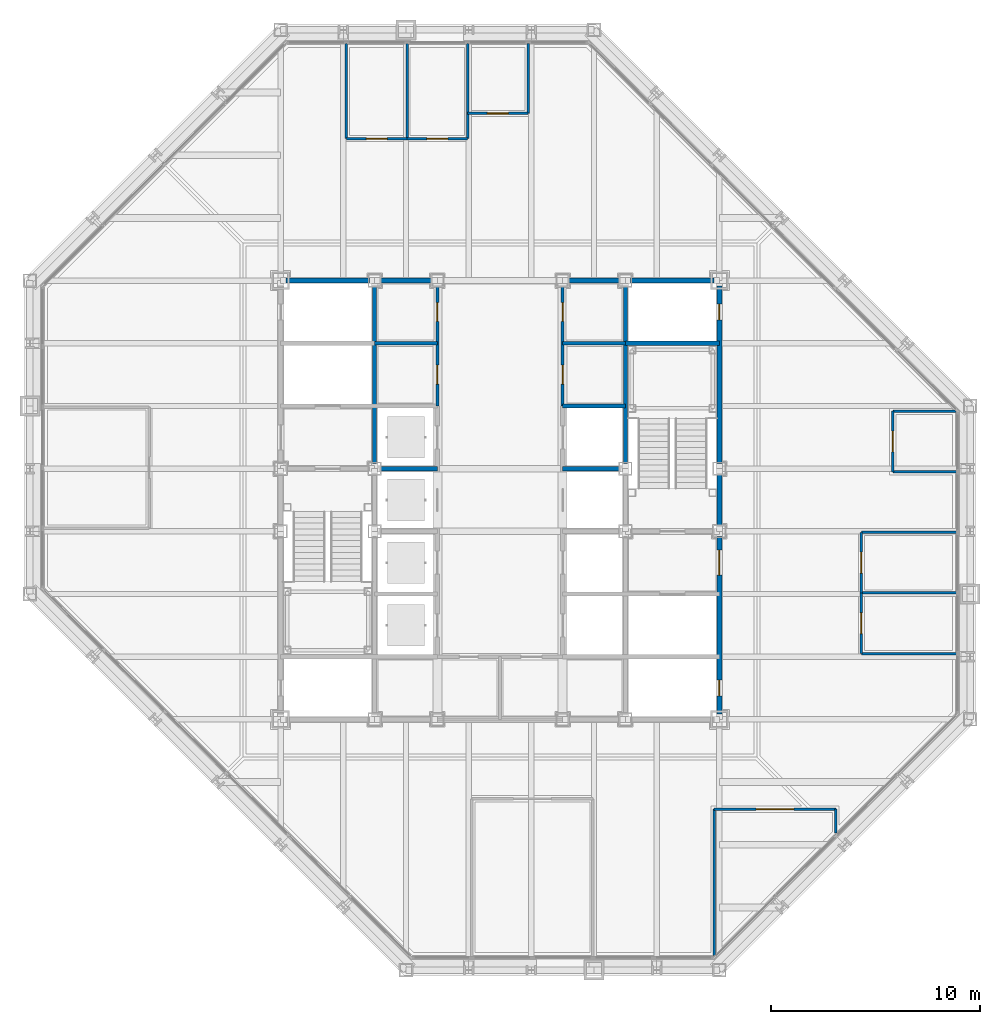
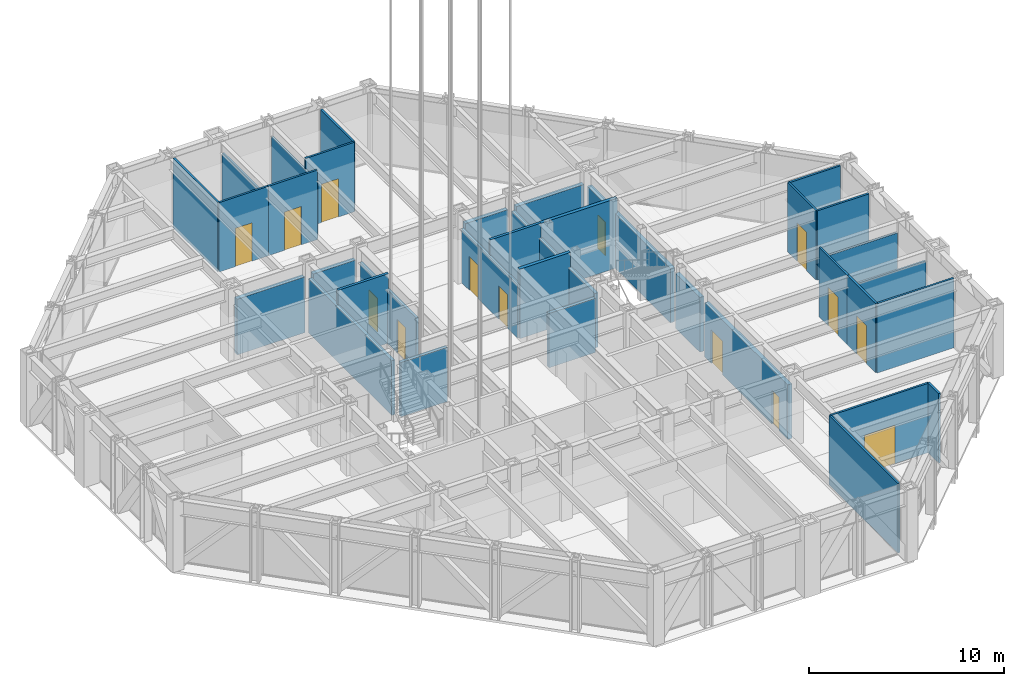
# One storey, part 11 of 24: 35 walls, 14 doors, 14 openings.
"""IFC4 building model written with IfcOpenShell, lengths in metres."""

from ifc_helpers import new_model, si_unit, direction, frame, frame_2d, origin, place, context, subcontext, project, spatial, rectangle, extrude, material, layer, layer_set, type_object, element, fill, save


model = new_model("IFC4")

# Units and contexts
model_context = context("Model", 3, precision=1e-05, world=origin(), true_north=direction((0.0, 1.0)))
body_context = subcontext(model_context, "Body", "Model", "MODEL_VIEW")
ifc_project = project(units=[si_unit("LENGTHUNIT", "METRE"), si_unit("AREAUNIT", "SQUARE_METRE"), si_unit("VOLUMEUNIT", "CUBIC_METRE"), si_unit("PLANEANGLEUNIT", "RADIAN"), si_unit("MASSUNIT", "GRAM", prefix="KILO")], contexts=[model_context])

# Site, building, storey
site_placement = place(None, origin())
site = spatial("IfcSite", under=ifc_project, at=site_placement, CompositionType="ELEMENT")
building_placement = place(site_placement, origin())
building = spatial("IfcBuilding", under=site, at=building_placement, Name="Chuquiago Exchange Tower", CompositionType="ELEMENT")
storey_placement = place(building_placement, frame((0.0, 0.0, 180.0)))
storey = spatial("IfcBuildingStorey", under=building, at=storey_placement, Name="L39", CompositionType="ELEMENT", Elevation=180.0)

# Walls
ifc_material_1 = material(Name="Concrete masonry, fully grouted", Category="masonry")
ifc_layer_1 = layer(ifc_material_1, 0.25)
ifc_layer_set_1 = layer_set([ifc_layer_1], Name="W1 core wall 250")
wall_type_1 = type_object("IfcWallType", Name="W1 core wall 250", PredefinedType="SOLIDWALL", material=ifc_layer_set_1)
wall_1_placement = place(storey_placement, frame((12.25, 33.0, 0.0), z_axis=(0.0, 0.0, 1.0), x_axis=(1.0, 0.0, 0.0)))
element("IfcWall", 1, at=wall_1_placement, inside=storey, type_object=wall_type_1, Name="CW-L39-11-0", PredefinedType="SOLIDWALL", context=body_context, shape_type="SweptSolid", body=[
    extrude(rectangle(XDim=4.0, YDim=0.25, at=frame_2d((2.0, 0.0))), origin(), (0.0, 0.0, 1.0), 3.4814453125),
])
for number, where, z_axis, x_axis, name in (
    (2, (16.75, 33.0, 0.0), (0.0, 0.0, 1.0), (1.0, 0.0, 0.0), "CW-L39-11-1"),
    (3, (25.75, 33.0, 0.0), (0.0, 0.0, 1.0), (1.0, 0.0, 0.0), "CW-L39-12-0"),
):
    element("IfcWall", number, at=place(storey_placement, frame(where, z_axis=z_axis, x_axis=x_axis)), inside=storey, type_object=wall_type_1, Name=name, PredefinedType="SOLIDWALL", context=body_context, shape_type="SweptSolid", body=[
        extrude(rectangle(XDim=2.5, YDim=0.25, at=frame_2d((1.25, 0.0))), origin(), (0.0, 0.0, 1.0), 3.4814453125),
    ])
wall_2_placement = place(storey_placement, frame((28.75, 33.0, 0.0), z_axis=(0.0, 0.0, 1.0), x_axis=(1.0, 0.0, 0.0)))
element("IfcWall", 4, at=wall_2_placement, inside=storey, type_object=wall_type_1, Name="CW-L39-12-1", PredefinedType="SOLIDWALL", context=body_context, shape_type="SweptSolid", body=[
    extrude(rectangle(XDim=4.0, YDim=0.25, at=frame_2d((2.0, 0.0))), origin(), (0.0, 0.0, 1.0), 3.4814453125),
])

# Wall, openings, doors
wall_3_placement = place(storey_placement, frame((33.0, 12.25, 0.0), z_axis=(0.0, 0.0, 1.0), x_axis=(0.0, 1.0, 0.0)))
wall_3 = element("IfcWall", 5, at=wall_3_placement, inside=storey, type_object=wall_type_1, Name="CW-L39-25-0", PredefinedType="SOLIDWALL", context=body_context, shape_type="SweptSolid", body=[
    extrude(rectangle(XDim=8.5, YDim=0.25, at=frame_2d((4.25, 0.0))), origin(), (0.0, 0.0, 1.0), 3.412841796875),
])
opening_1_placement = place(wall_3_placement, frame((6.64990234375, 0.0, 0.0)))
opening_1 = element("IfcOpeningElement", 6, at=opening_1_placement, cuts=wall_3, Name="Opening L39-004", PredefinedType="OPENING", context=body_context, shape_type="SweptSolid", body=[
    extrude(rectangle(XDim=1.199951171875, YDim=2.10009765625, at=frame_2d((0.60009765625, 1.050048828125))), frame((0.0, 0.135009765625, 0.0), z_axis=(0.0, -1.0, 0.0), x_axis=(1.0, 0.0, 0.0)), (0.0, 0.0, 1.0), 0.27001953125),
])
opening_2_placement = place(wall_3_placement, frame((0.875, 0.0, 0.0)))
opening_2 = element("IfcOpeningElement", 7, at=opening_2_placement, cuts=wall_3, Name="Opening L39-009", PredefinedType="OPENING", context=body_context, shape_type="SweptSolid", body=[
    extrude(rectangle(XDim=0.75, YDim=2.10009765625, at=frame_2d((0.375, 1.050048828125))), frame((0.0, 0.135009765625, 0.0), z_axis=(0.0, -1.0, 0.0), x_axis=(1.0, 0.0, 0.0)), (0.0, 0.0, 1.0), 0.27001953125),
])
ifc_material_2 = material(Name="Steel door, painted", Category="steel")
door_type_1 = type_object("IfcDoorType", Name="D5 firefighting lobby door 1200x2100", OperationType="SINGLE_SWING_LEFT", PredefinedType="DOOR", material=ifc_material_2)
door_1_placement = place(opening_1_placement, origin())
door_1 = element("IfcDoor", 8, at=door_1_placement, inside=storey, type_object=door_type_1, Name="Firefighting lobby 2 door", OperationType="SINGLE_SWING_RIGHT", OverallHeight=2.10009765625, OverallWidth=1.199951171875, PredefinedType="DOOR", context=body_context, shape_type="SweptSolid", body=[
    extrude(rectangle(XDim=1.199951171875, YDim=2.10009765625, at=frame_2d((0.60009765625, 1.050048828125))), frame((0.0, 0.02490234375, 0.0), z_axis=(0.0, -1.0, 0.0), x_axis=(1.0, 0.0, 0.0)), (0.0, 0.0, 1.0), 0.050048828125),
])
fill(opening_1, door_1)
ifc_material_3 = material(Name="Steel door, painted", Category="steel")
door_type_2 = type_object("IfcDoorType", Name="D6 riser access door 750x2100", OperationType="SINGLE_SWING_LEFT", PredefinedType="DOOR", material=ifc_material_3)
door_2_placement = place(opening_2_placement, origin())
door_2 = element("IfcDoor", 9, at=door_2_placement, inside=storey, type_object=door_type_2, Name="Riser RE1 door", OperationType="SINGLE_SWING_LEFT", OverallHeight=2.10009765625, OverallWidth=0.75, PredefinedType="DOOR", context=body_context, shape_type="SweptSolid", body=[
    extrude(rectangle(XDim=0.75, YDim=2.10009765625, at=frame_2d((0.375, 1.050048828125))), frame((0.0, 0.02490234375, 0.0), z_axis=(0.0, -1.0, 0.0), x_axis=(1.0, 0.0, 0.0)), (0.0, 0.0, 1.0), 0.050048828125),
])
fill(opening_2, door_2)

# Wall
wall_4_placement = place(storey_placement, frame((33.0, 21.25, 0.0), z_axis=(0.0, 0.0, 1.0), x_axis=(0.0, 1.0, 0.0)))
element("IfcWall", 10, at=wall_4_placement, inside=storey, type_object=wall_type_1, Name="CW-L39-25-1", PredefinedType="SOLIDWALL", context=body_context, shape_type="SweptSolid", body=[
    extrude(rectangle(XDim=2.5, YDim=0.25, at=frame_2d((1.25, 0.0))), origin(), (0.0, 0.0, 1.0), 3.412841796875),
])

# Wall, opening, door
wall_5_placement = place(storey_placement, frame((33.0, 24.25, 0.0), z_axis=(0.0, 0.0, 1.0), x_axis=(0.0, 1.0, 0.0)))
wall_5 = element("IfcWall", 11, at=wall_5_placement, inside=storey, type_object=wall_type_1, Name="CW-L39-25-2", PredefinedType="SOLIDWALL", context=body_context, shape_type="SweptSolid", body=[
    extrude(rectangle(XDim=8.5, YDim=0.25, at=frame_2d((4.25, 0.0))), origin(), (0.0, 0.0, 1.0), 3.412841796875),
])
opening_3_placement = place(wall_5_placement, frame((6.875, 0.0, 0.0)))
opening_3 = element("IfcOpeningElement", 12, at=opening_3_placement, cuts=wall_5, Name="Opening L39-010", PredefinedType="OPENING", context=body_context, shape_type="SweptSolid", body=[
    extrude(rectangle(XDim=0.75, YDim=2.10009765625, at=frame_2d((0.375, 1.050048828125))), frame((0.0, 0.135009765625, 0.0), z_axis=(0.0, -1.0, 0.0), x_axis=(1.0, 0.0, 0.0)), (0.0, 0.0, 1.0), 0.27001953125),
])
door_3_placement = place(opening_3_placement, origin())
door_3 = element("IfcDoor", 13, at=door_3_placement, inside=storey, type_object=door_type_2, Name="Riser RE2 door", OperationType="SINGLE_SWING_RIGHT", OverallHeight=2.10009765625, OverallWidth=0.75, PredefinedType="DOOR", context=body_context, shape_type="SweptSolid", body=[
    extrude(rectangle(XDim=0.75, YDim=2.10009765625, at=frame_2d((0.375, 1.050048828125))), frame((0.0, 0.02490234375, 0.0), z_axis=(0.0, -1.0, 0.0), x_axis=(1.0, 0.0, 0.0)), (0.0, 0.0, 1.0), 0.050048828125),
])
fill(opening_3, door_3)

# Walls
ifc_material_4 = material(Name="Concrete masonry, fully grouted", Category="masonry")
ifc_layer_2 = layer(ifc_material_4, 0.199951171875)
ifc_layer_set_2 = layer_set([ifc_layer_2], Name="W2 shaft wall 200")
wall_type_2 = type_object("IfcWallType", Name="W2 shaft wall 200", PredefinedType="SOLIDWALL", material=ifc_layer_set_2)
for number, where, z_axis, x_axis, name in (
    (14, (16.75, 24.0, 0.0), (0.0, 0.0, 1.0), (1.0, 0.0, 0.0), "CW-L39-05-1"),
    (15, (25.5, 24.0, 0.0), (0.0, 0.0, 1.0), (1.0, 0.0, 0.0), "CW-L39-06-0"),
):
    element("IfcWall", number, at=place(storey_placement, frame(where, z_axis=z_axis, x_axis=x_axis)), inside=storey, type_object=wall_type_2, Name=name, PredefinedType="SOLIDWALL", context=body_context, shape_type="SweptSolid", body=[
        extrude(rectangle(XDim=2.75, YDim=0.199951171875, at=frame_2d((1.375, 0.0))), origin(), (0.0, 0.0, 1.0), 3.389892578125),
    ])
wall_6_placement = place(storey_placement, frame((25.5, 27.0, 0.0), z_axis=(0.0, 0.0, 1.0), x_axis=(1.0, 0.0, 0.0)))
element("IfcWall", 16, at=wall_6_placement, inside=storey, type_object=wall_type_2, Name="CW-L39-08-0", PredefinedType="SOLIDWALL", context=body_context, shape_type="SweptSolid", body=[
    extrude(rectangle(XDim=3.0, YDim=0.199951171875, at=frame_2d((1.5, 0.0))), origin(), (0.0, 0.0, 1.0), 4.340087890625),
])
wall_7_placement = place(storey_placement, frame((28.5, 30.0, 0.0), z_axis=(0.0, 0.0, 1.0), x_axis=(1.0, 0.0, 0.0)))
element("IfcWall", 17, at=wall_7_placement, inside=storey, type_object=wall_type_2, Name="CW-L39-10-0", PredefinedType="SOLIDWALL", context=body_context, shape_type="SweptSolid", body=[
    extrude(rectangle(XDim=4.5, YDim=0.199951171875, at=frame_2d((2.25, 0.0))), origin(), (0.0, 0.0, 1.0), 4.340087890625),
])
for number, where, z_axis, x_axis, name in (
    (18, (16.5, 24.25, 0.0), (0.0, 0.0, 1.0), (0.0, 1.0, 0.0), "CW-L39-13-2"),
    (19, (28.5, 24.25, 0.0), (0.0, 0.0, 1.0), (0.0, 1.0, 0.0), "CW-L39-24-2"),
):
    element("IfcWall", number, at=place(storey_placement, frame(where, z_axis=z_axis, x_axis=x_axis)), inside=storey, type_object=wall_type_2, Name=name, PredefinedType="SOLIDWALL", context=body_context, shape_type="SweptSolid", body=[
        extrude(rectangle(XDim=8.5, YDim=0.199951171875, at=frame_2d((4.25, 0.0))), origin(), (0.0, 0.0, 1.0), 3.412841796875),
    ])

# Wall, openings, doors
ifc_material_5 = material(Name="Gypsum board on steel studs", Category="steel")
ifc_layer_3 = layer(ifc_material_5, 0.14990234375)
ifc_layer_set_3 = layer_set([ifc_layer_3], Name="W3 core partition 150")
wall_type_3 = type_object("IfcWallType", Name="W3 core partition 150", PredefinedType="PARTITIONING", material=ifc_layer_set_3)
wall_8_placement = place(storey_placement, frame((19.5, 27.0, 0.0), z_axis=(0.0, 0.0, 1.0), x_axis=(0.0, 1.0, 0.0)))
wall_8 = element("IfcWall", 20, at=wall_8_placement, inside=storey, type_object=wall_type_3, Name="CW-L39-20-0", PredefinedType="PARTITIONING", context=body_context, shape_type="SweptSolid", body=[
    extrude(rectangle(XDim=5.75, YDim=0.14990234375, at=frame_2d((2.875, 0.0))), origin(), (0.0, 0.0, 1.0), 3.364501953125),
])
opening_4_placement = place(wall_8_placement, frame((1.050048828125, 0.0, 0.0)))
opening_4 = element("IfcOpeningElement", 21, at=opening_4_placement, cuts=wall_8, Name="Opening L39-011", PredefinedType="OPENING", context=body_context, shape_type="SweptSolid", body=[
    extrude(rectangle(XDim=0.89990234375, YDim=2.10009765625, at=frame_2d((0.449951171875, 1.050048828125))), frame((0.0, 0.0849609375, 0.0), z_axis=(0.0, -1.0, 0.0), x_axis=(1.0, 0.0, 0.0)), (0.0, 0.0, 1.0), 0.169921875),
])
opening_5_placement = place(wall_8_placement, frame((4.050048828125, 0.0, 0.0)))
opening_5 = element("IfcOpeningElement", 22, at=opening_5_placement, cuts=wall_8, Name="Opening L39-012", PredefinedType="OPENING", context=body_context, shape_type="SweptSolid", body=[
    extrude(rectangle(XDim=0.89990234375, YDim=2.10009765625, at=frame_2d((0.449951171875, 1.050048828125))), frame((0.0, 0.0849609375, 0.0), z_axis=(0.0, -1.0, 0.0), x_axis=(1.0, 0.0, 0.0)), (0.0, 0.0, 1.0), 0.169921875),
])
ifc_material_6 = material(Name="Timber door, laminate faced", Category="wood")
door_type_3 = type_object("IfcDoorType", Name="D16 core room door 900x2100", OperationType="SINGLE_SWING_LEFT", PredefinedType="DOOR", material=ifc_material_6)
door_4_placement = place(opening_5_placement, origin())
door_4 = element("IfcDoor", 23, at=door_4_placement, inside=storey, type_object=door_type_3, Name="Staff shower room door", OperationType="SINGLE_SWING_RIGHT", OverallHeight=2.10009765625, OverallWidth=0.89990234375, PredefinedType="DOOR", context=body_context, shape_type="SweptSolid", body=[
    extrude(rectangle(XDim=0.89990234375, YDim=2.10009765625, at=frame_2d((0.449951171875, 1.050048828125))), frame((0.0, 0.02490234375, 0.0), z_axis=(0.0, -1.0, 0.0), x_axis=(1.0, 0.0, 0.0)), (0.0, 0.0, 1.0), 0.050048828125),
])
fill(opening_5, door_4)
ifc_material_7 = material(Name="Timber door, laminate faced", Category="wood")
door_type_4 = type_object("IfcDoorType", Name="D7 toilet door 900x2100", OperationType="SINGLE_SWING_LEFT", PredefinedType="DOOR", material=ifc_material_7)
door_5_placement = place(opening_4_placement, origin())
door_5 = element("IfcDoor", 24, at=door_5_placement, inside=storey, type_object=door_type_4, Name="Male WC door", OperationType="SINGLE_SWING_LEFT", OverallHeight=2.10009765625, OverallWidth=0.89990234375, PredefinedType="DOOR", context=body_context, shape_type="SweptSolid", body=[
    extrude(rectangle(XDim=0.89990234375, YDim=2.10009765625, at=frame_2d((0.449951171875, 1.050048828125))), frame((0.0, 0.02490234375, 0.0), z_axis=(0.0, -1.0, 0.0), x_axis=(1.0, 0.0, 0.0)), (0.0, 0.0, 1.0), 0.050048828125),
])
fill(opening_4, door_5)

wall_9_placement = place(storey_placement, frame((25.5, 27.0, 0.0), z_axis=(0.0, 0.0, 1.0), x_axis=(0.0, 1.0, 0.0)))
wall_9 = element("IfcWall", 25, at=wall_9_placement, inside=storey, type_object=wall_type_3, Name="CW-L39-23-0", PredefinedType="PARTITIONING", context=body_context, shape_type="SweptSolid", body=[
    extrude(rectangle(XDim=5.75, YDim=0.14990234375, at=frame_2d((2.875, 0.0))), origin(), (0.0, 0.0, 1.0), 3.364501953125),
])
opening_6_placement = place(wall_9_placement, frame((1.050048828125, 0.0, 0.0)))
opening_6 = element("IfcOpeningElement", 26, at=opening_6_placement, cuts=wall_9, Name="Opening L39-013", PredefinedType="OPENING", context=body_context, shape_type="SweptSolid", body=[
    extrude(rectangle(XDim=0.89990234375, YDim=2.10009765625, at=frame_2d((0.449951171875, 1.050048828125))), frame((0.0, 0.0849609375, 0.0), z_axis=(0.0, -1.0, 0.0), x_axis=(1.0, 0.0, 0.0)), (0.0, 0.0, 1.0), 0.169921875),
])
opening_7_placement = place(wall_9_placement, frame((4.050048828125, 0.0, 0.0)))
opening_7 = element("IfcOpeningElement", 27, at=opening_7_placement, cuts=wall_9, Name="Opening L39-014", PredefinedType="OPENING", context=body_context, shape_type="SweptSolid", body=[
    extrude(rectangle(XDim=0.89990234375, YDim=2.10009765625, at=frame_2d((0.449951171875, 1.050048828125))), frame((0.0, 0.0849609375, 0.0), z_axis=(0.0, -1.0, 0.0), x_axis=(1.0, 0.0, 0.0)), (0.0, 0.0, 1.0), 0.169921875),
])
door_6_placement = place(opening_7_placement, frame((0.89990234375, 0.0, 0.0), z_axis=(0.0, 0.0, 1.0), x_axis=(-1.0, 0.0, 0.0)))
door_6 = element("IfcDoor", 28, at=door_6_placement, inside=storey, type_object=door_type_3, Name="Baby change room door", OperationType="SINGLE_SWING_LEFT", OverallHeight=2.10009765625, OverallWidth=0.89990234375, PredefinedType="DOOR", context=body_context, shape_type="SweptSolid", body=[
    extrude(rectangle(XDim=0.89990234375, YDim=2.10009765625, at=frame_2d((0.449951171875, 1.050048828125))), frame((0.0, 0.02490234375, 0.0), z_axis=(0.0, -1.0, 0.0), x_axis=(1.0, 0.0, 0.0)), (0.0, 0.0, 1.0), 0.050048828125),
])
fill(opening_7, door_6)
door_7_placement = place(opening_6_placement, frame((0.89990234375, 0.0, 0.0), z_axis=(0.0, 0.0, 1.0), x_axis=(-1.0, 0.0, 0.0)))
door_7 = element("IfcDoor", 29, at=door_7_placement, inside=storey, type_object=door_type_4, Name="Female WC door", OperationType="SINGLE_SWING_RIGHT", OverallHeight=2.10009765625, OverallWidth=0.89990234375, PredefinedType="DOOR", context=body_context, shape_type="SweptSolid", body=[
    extrude(rectangle(XDim=0.89990234375, YDim=2.10009765625, at=frame_2d((0.449951171875, 1.050048828125))), frame((0.0, 0.02490234375, 0.0), z_axis=(0.0, -1.0, 0.0), x_axis=(1.0, 0.0, 0.0)), (0.0, 0.0, 1.0), 0.050048828125),
])
fill(opening_6, door_7)

# Walls
for number, where, z_axis, x_axis, name in (
    (30, (16.5, 30.0, 0.0), (0.0, 0.0, 1.0), (1.0, 0.0, 0.0), "CW-L39-WCMS"),
    (31, (25.5, 30.0, 0.0), (0.0, 0.0, 1.0), (1.0, 0.0, 0.0), "CW-L39-WCFS"),
):
    element("IfcWall", number, at=place(storey_placement, frame(where, z_axis=z_axis, x_axis=x_axis)), inside=storey, type_object=wall_type_3, Name=name, PredefinedType="PARTITIONING", context=body_context, shape_type="SweptSolid", body=[
        extrude(rectangle(XDim=3.0, YDim=0.14990234375, at=frame_2d((1.5, 0.0))), origin(), (0.0, 0.0, 1.0), 4.340087890625),
    ])
ifc_material_8 = material(Name="Gypsum board on steel studs", Category="steel")
ifc_layer_4 = layer(ifc_material_8, 0.1201171875)
ifc_layer_set_4 = layer_set([ifc_layer_4], Name="W4 partition 120")
wall_type_4 = type_object("IfcWallType", Name="W4 partition 120", PredefinedType="PARTITIONING", material=ifc_layer_set_4)
wall_10_placement = place(storey_placement, frame((32.75146484375, 0.666015625, 0.0), z_axis=(0.0, 0.0, 1.0), x_axis=(0.0, 1.0, 0.0)))
element("IfcWall", 32, at=wall_10_placement, inside=storey, type_object=wall_type_4, Name="PW-L39-S03275", PredefinedType="PARTITIONING", context=body_context, shape_type="SweptSolid", body=[
    extrude(rectangle(XDim=7.033935546875, YDim=0.1201171875, at=frame_2d((3.51708984375, 0.0))), origin(), (0.0, 0.0, 1.0), 4.340087890625),
])
wall_11_placement = place(storey_placement, frame((38.57568359375, 6.565673828125, 0.0), z_axis=(0.0, 0.0, 1.0), x_axis=(0.0, 1.0, 0.0)))
element("IfcWall", 33, at=wall_11_placement, inside=storey, type_object=wall_type_4, Name="PW-L39-S03858", PredefinedType="PARTITIONING", context=body_context, shape_type="SweptSolid", body=[
    extrude(rectangle(XDim=1.13427734375, YDim=0.1201171875, at=frame_2d((0.567138671875, 0.0))), origin(), (0.0, 0.0, 1.0), 4.340087890625),
])

# Wall, opening, door
wall_12_placement = place(storey_placement, frame((32.75146484375, 7.699951171875, 0.0), z_axis=(0.0, 0.0, 1.0), x_axis=(1.0, 0.0, 0.0)))
wall_12 = element("IfcWall", 34, at=wall_12_placement, inside=storey, type_object=wall_type_4, Name="PW-L39-SF03275", PredefinedType="PARTITIONING", context=body_context, shape_type="SweptSolid", body=[
    extrude(rectangle(XDim=5.82421875, YDim=0.1201171875, at=frame_2d((2.912109375, 0.0))), origin(), (0.0, 0.0, 1.0), 4.340087890625),
])
opening_8_placement = place(wall_12_placement, frame((2.01220703125, 0.0, 0.0)))
opening_8 = element("IfcOpeningElement", 35, at=opening_8_placement, cuts=wall_12, Name="Opening L39-026", PredefinedType="OPENING", context=body_context, shape_type="SweptSolid", body=[
    extrude(rectangle(XDim=1.800048828125, YDim=2.39990234375, at=frame_2d((0.89990234375, 1.199951171875))), frame((0.0, 0.070068359375, 0.0), z_axis=(0.0, -1.0, 0.0), x_axis=(1.0, 0.0, 0.0)), (0.0, 0.0, 1.0), 0.14013671875),
])
ifc_material_9 = material(Name="Timber door pair, laminate faced", Category="wood")
door_type_5 = type_object("IfcDoorType", Name="D15 double room door 1800x2400", OperationType="DOUBLE_DOOR_DOUBLE_SWING", PredefinedType="DOOR", material=ifc_material_9)
door_8_placement = place(opening_8_placement, origin())
door_8 = element("IfcDoor", 36, at=door_8_placement, inside=storey, type_object=door_type_5, Name="Broker lounge door", OperationType="DOUBLE_DOOR_DOUBLE_SWING", OverallHeight=2.39990234375, OverallWidth=1.800048828125, PredefinedType="DOOR", context=body_context, shape_type="SweptSolid", body=[
    extrude(rectangle(XDim=1.800048828125, YDim=2.39990234375, at=frame_2d((0.89990234375, 1.199951171875))), frame((0.0, 0.02490234375, 0.0), z_axis=(0.0, -1.0, 0.0), x_axis=(1.0, 0.0, 0.0)), (0.0, 0.0, 1.0), 0.050048828125),
])
fill(opening_8, door_8)

# Walls
wall_13_placement = place(storey_placement, frame((44.347412109375, 15.149169921875, 0.0), z_axis=(0.0, 0.0, 1.0), x_axis=(-1.0, 0.0, 0.0)))
element("IfcWall", 37, at=wall_13_placement, inside=storey, type_object=wall_type_4, Name="PW-L39-E01515", PredefinedType="PARTITIONING", context=body_context, shape_type="SweptSolid", body=[
    extrude(rectangle(XDim=4.54736328125, YDim=0.1201171875, at=frame_2d((2.273681640625, 0.0))), origin(), (0.0, 0.0, 1.0), 4.340087890625),
])
for number, where, z_axis, x_axis, name in (
    (38, (44.347412109375, 18.0498046875, 0.0), (0.0, 0.0, 1.0), (-1.0, 0.0, 0.0), "PW-L39-E01805"),
    (39, (44.347412109375, 20.9501953125, 0.0), (0.0, 0.0, 1.0), (-1.0, 0.0, 0.0), "PW-L39-E02095"),
):
    element("IfcWall", number, at=place(storey_placement, frame(where, z_axis=z_axis, x_axis=x_axis)), inside=storey, type_object=wall_type_4, Name=name, PredefinedType="PARTITIONING", context=body_context, shape_type="SweptSolid", body=[
        extrude(rectangle(XDim=4.54736328125, YDim=0.1201171875, at=frame_2d((2.273681640625, 0.0))), origin(), (0.0, 0.0, 1.0), 3.65673828125),
    ])
wall_14_placement = place(storey_placement, frame((44.347412109375, 23.850830078125, 0.0), z_axis=(0.0, 0.0, 1.0), x_axis=(-1.0, 0.0, 0.0)))
element("IfcWall", 40, at=wall_14_placement, inside=storey, type_object=wall_type_4, Name="PW-L39-E02385", PredefinedType="PARTITIONING", context=body_context, shape_type="SweptSolid", body=[
    extrude(rectangle(XDim=3.04736328125, YDim=0.1201171875, at=frame_2d((1.523681640625, 0.0))), origin(), (0.0, 0.0, 1.0), 4.340087890625),
])
wall_15_placement = place(storey_placement, frame((44.333984375, 26.75146484375, 0.0), z_axis=(0.0, 0.0, 1.0), x_axis=(-1.0, 0.0, 0.0)))
element("IfcWall", 41, at=wall_15_placement, inside=storey, type_object=wall_type_4, Name="PW-L39-E02675", PredefinedType="PARTITIONING", context=body_context, shape_type="SweptSolid", body=[
    extrude(rectangle(XDim=3.033935546875, YDim=0.1201171875, at=frame_2d((1.51708984375, 0.0))), origin(), (0.0, 0.0, 1.0), 4.340087890625),
])

# Wall, opening, door
wall_16_placement = place(storey_placement, frame((39.800048828125, 15.149169921875, 0.0), z_axis=(0.0, 0.0, 1.0), x_axis=(0.0, 1.0, 0.0)))
wall_16 = element("IfcWall", 42, at=wall_16_placement, inside=storey, type_object=wall_type_4, Name="PW-L39-EF01515", PredefinedType="PARTITIONING", context=body_context, shape_type="SweptSolid", body=[
    extrude(rectangle(XDim=2.900634765625, YDim=0.1201171875, at=frame_2d((1.4501953125, 0.0))), origin(), (0.0, 0.0, 1.0), 4.340087890625),
])
opening_9_placement = place(wall_16_placement, frame((0.9501953125, 0.0, 0.0)))
opening_9 = element("IfcOpeningElement", 43, at=opening_9_placement, cuts=wall_16, Name="Opening L39-027", PredefinedType="OPENING", context=body_context, shape_type="SweptSolid", body=[
    extrude(rectangle(XDim=1.0, YDim=2.39990234375, at=frame_2d((0.5, 1.199951171875))), frame((0.0, 0.070068359375, 0.0), z_axis=(0.0, -1.0, 0.0), x_axis=(1.0, 0.0, 0.0)), (0.0, 0.0, 1.0), 0.14013671875),
])
ifc_material_10 = material(Name="Timber frame door, full height glazed panel", Category="wood")
door_type_6 = type_object("IfcDoorType", Name="D14 glazed meeting room door 1000x2400", OperationType="SINGLE_SWING_LEFT", PredefinedType="DOOR", material=ifc_material_10)
door_9_placement = place(opening_9_placement, frame((1.0, 0.0, 0.0), z_axis=(0.0, 0.0, 1.0), x_axis=(-1.0, 0.0, 0.0)))
door_9 = element("IfcDoor", 44, at=door_9_placement, inside=storey, type_object=door_type_6, Name="Meeting room door", OperationType="SINGLE_SWING_RIGHT", OverallHeight=2.39990234375, OverallWidth=1.0, PredefinedType="DOOR", context=body_context, shape_type="SweptSolid", body=[
    extrude(rectangle(XDim=1.0, YDim=2.39990234375, at=frame_2d((0.5, 1.199951171875))), frame((0.0, 0.02490234375, 0.0), z_axis=(0.0, -1.0, 0.0), x_axis=(1.0, 0.0, 0.0)), (0.0, 0.0, 1.0), 0.050048828125),
])
fill(opening_9, door_9)

wall_17_placement = place(storey_placement, frame((39.800048828125, 18.0498046875, 0.0), z_axis=(0.0, 0.0, 1.0), x_axis=(0.0, 1.0, 0.0)))
wall_17 = element("IfcWall", 45, at=wall_17_placement, inside=storey, type_object=wall_type_4, Name="PW-L39-EF01805", PredefinedType="PARTITIONING", context=body_context, shape_type="SweptSolid", body=[
    extrude(rectangle(XDim=2.900390625, YDim=0.1201171875, at=frame_2d((1.4501953125, 0.0))), origin(), (0.0, 0.0, 1.0), 4.340087890625),
])
opening_10_placement = place(wall_17_placement, frame((0.9501953125, 0.0, 0.0)))
opening_10 = element("IfcOpeningElement", 46, at=opening_10_placement, cuts=wall_17, Name="Opening L39-028", PredefinedType="OPENING", context=body_context, shape_type="SweptSolid", body=[
    extrude(rectangle(XDim=1.0, YDim=2.39990234375, at=frame_2d((0.5, 1.199951171875))), frame((0.0, 0.070068359375, 0.0), z_axis=(0.0, -1.0, 0.0), x_axis=(1.0, 0.0, 0.0)), (0.0, 0.0, 1.0), 0.14013671875),
])
door_10_placement = place(opening_10_placement, frame((1.0, 0.0, 0.0), z_axis=(0.0, 0.0, 1.0), x_axis=(-1.0, 0.0, 0.0)))
door_10 = element("IfcDoor", 47, at=door_10_placement, inside=storey, type_object=door_type_6, Name="Meeting room door", OperationType="SINGLE_SWING_LEFT", OverallHeight=2.39990234375, OverallWidth=1.0, PredefinedType="DOOR", context=body_context, shape_type="SweptSolid", body=[
    extrude(rectangle(XDim=1.0, YDim=2.39990234375, at=frame_2d((0.5, 1.199951171875))), frame((0.0, 0.02490234375, 0.0), z_axis=(0.0, -1.0, 0.0), x_axis=(1.0, 0.0, 0.0)), (0.0, 0.0, 1.0), 0.050048828125),
])
fill(opening_10, door_10)

wall_18_placement = place(storey_placement, frame((41.300048828125, 23.850830078125, 0.0), z_axis=(0.0, 0.0, 1.0), x_axis=(0.0, 1.0, 0.0)))
wall_18 = element("IfcWall", 48, at=wall_18_placement, inside=storey, type_object=wall_type_4, Name="PW-L39-EF02385", PredefinedType="PARTITIONING", context=body_context, shape_type="SweptSolid", body=[
    extrude(rectangle(XDim=2.900634765625, YDim=0.1201171875, at=frame_2d((1.4501953125, 0.0))), origin(), (0.0, 0.0, 1.0), 4.340087890625),
])
opening_11_placement = place(wall_18_placement, frame((0.9501953125, 0.0, 0.0)))
opening_11 = element("IfcOpeningElement", 49, at=opening_11_placement, cuts=wall_18, Name="Opening L39-029", PredefinedType="OPENING", context=body_context, shape_type="SweptSolid", body=[
    extrude(rectangle(XDim=1.0, YDim=2.39990234375, at=frame_2d((0.5, 1.199951171875))), frame((0.0, 0.070068359375, 0.0), z_axis=(0.0, -1.0, 0.0), x_axis=(1.0, 0.0, 0.0)), (0.0, 0.0, 1.0), 0.14013671875),
])
ifc_material_11 = material(Name="Timber door, laminate faced", Category="wood")
door_type_7 = type_object("IfcDoorType", Name="D9 room door 1000x2400", OperationType="SINGLE_SWING_LEFT", PredefinedType="DOOR", material=ifc_material_11)
door_11_placement = place(opening_11_placement, frame((1.0, 0.0, 0.0), z_axis=(0.0, 0.0, 1.0), x_axis=(-1.0, 0.0, 0.0)))
door_11 = element("IfcDoor", 50, at=door_11_placement, inside=storey, type_object=door_type_7, Name="Store door", OperationType="SINGLE_SWING_RIGHT", OverallHeight=2.39990234375, OverallWidth=1.0, PredefinedType="DOOR", context=body_context, shape_type="SweptSolid", body=[
    extrude(rectangle(XDim=1.0, YDim=2.39990234375, at=frame_2d((0.5, 1.199951171875))), frame((0.0, 0.02490234375, 0.0), z_axis=(0.0, -1.0, 0.0), x_axis=(1.0, 0.0, 0.0)), (0.0, 0.0, 1.0), 0.050048828125),
])
fill(opening_11, door_11)

# Walls
wall_19_placement = place(storey_placement, frame((15.149169921875, 44.347412109375, 0.0), z_axis=(0.0, 0.0, 1.0), x_axis=(0.0, -1.0, 0.0)))
element("IfcWall", 51, at=wall_19_placement, inside=storey, type_object=wall_type_4, Name="PW-L39-N01515", PredefinedType="PARTITIONING", context=body_context, shape_type="SweptSolid", body=[
    extrude(rectangle(XDim=4.54736328125, YDim=0.1201171875, at=frame_2d((2.273681640625, 0.0))), origin(), (0.0, 0.0, 1.0), 4.340087890625),
])
for number, where, z_axis, x_axis, name in (
    (52, (18.0498046875, 44.347412109375, 0.0), (0.0, 0.0, 1.0), (0.0, -1.0, 0.0), "PW-L39-N01805"),
    (53, (20.9501953125, 44.347412109375, 0.0), (0.0, 0.0, 1.0), (0.0, -1.0, 0.0), "PW-L39-N02095"),
):
    element("IfcWall", number, at=place(storey_placement, frame(where, z_axis=z_axis, x_axis=x_axis)), inside=storey, type_object=wall_type_4, Name=name, PredefinedType="PARTITIONING", context=body_context, shape_type="SweptSolid", body=[
        extrude(rectangle(XDim=4.54736328125, YDim=0.1201171875, at=frame_2d((2.273681640625, 0.0))), origin(), (0.0, 0.0, 1.0), 3.65673828125),
    ])
wall_20_placement = place(storey_placement, frame((23.850830078125, 44.347412109375, 0.0), z_axis=(0.0, 0.0, 1.0), x_axis=(0.0, -1.0, 0.0)))
element("IfcWall", 54, at=wall_20_placement, inside=storey, type_object=wall_type_4, Name="PW-L39-N02385", PredefinedType="PARTITIONING", context=body_context, shape_type="SweptSolid", body=[
    extrude(rectangle(XDim=3.347412109375, YDim=0.1201171875, at=frame_2d((1.673828125, 0.0))), origin(), (0.0, 0.0, 1.0), 4.340087890625),
])

# Wall, opening, door
wall_21_placement = place(storey_placement, frame((15.149169921875, 39.800048828125, 0.0), z_axis=(0.0, 0.0, 1.0), x_axis=(1.0, 0.0, 0.0)))
wall_21 = element("IfcWall", 55, at=wall_21_placement, inside=storey, type_object=wall_type_4, Name="PW-L39-NF01515", PredefinedType="PARTITIONING", context=body_context, shape_type="SweptSolid", body=[
    extrude(rectangle(XDim=2.900634765625, YDim=0.1201171875, at=frame_2d((1.4501953125, 0.0))), origin(), (0.0, 0.0, 1.0), 4.340087890625),
])
opening_12_placement = place(wall_21_placement, frame((0.9501953125, 0.0, 0.0)))
opening_12 = element("IfcOpeningElement", 56, at=opening_12_placement, cuts=wall_21, Name="Opening L39-030", PredefinedType="OPENING", context=body_context, shape_type="SweptSolid", body=[
    extrude(rectangle(XDim=1.0, YDim=2.39990234375, at=frame_2d((0.5, 1.199951171875))), frame((0.0, 0.070068359375, 0.0), z_axis=(0.0, -1.0, 0.0), x_axis=(1.0, 0.0, 0.0)), (0.0, 0.0, 1.0), 0.14013671875),
])
door_12_placement = place(opening_12_placement, origin())
door_12 = element("IfcDoor", 57, at=door_12_placement, inside=storey, type_object=door_type_7, Name="Office door", OperationType="SINGLE_SWING_LEFT", OverallHeight=2.39990234375, OverallWidth=1.0, PredefinedType="DOOR", context=body_context, shape_type="SweptSolid", body=[
    extrude(rectangle(XDim=1.0, YDim=2.39990234375, at=frame_2d((0.5, 1.199951171875))), frame((0.0, 0.02490234375, 0.0), z_axis=(0.0, -1.0, 0.0), x_axis=(1.0, 0.0, 0.0)), (0.0, 0.0, 1.0), 0.050048828125),
])
fill(opening_12, door_12)

wall_22_placement = place(storey_placement, frame((18.0498046875, 39.800048828125, 0.0), z_axis=(0.0, 0.0, 1.0), x_axis=(1.0, 0.0, 0.0)))
wall_22 = element("IfcWall", 58, at=wall_22_placement, inside=storey, type_object=wall_type_4, Name="PW-L39-NF01805", PredefinedType="PARTITIONING", context=body_context, shape_type="SweptSolid", body=[
    extrude(rectangle(XDim=2.900390625, YDim=0.1201171875, at=frame_2d((1.4501953125, 0.0))), origin(), (0.0, 0.0, 1.0), 4.340087890625),
])
opening_13_placement = place(wall_22_placement, frame((0.9501953125, 0.0, 0.0)))
opening_13 = element("IfcOpeningElement", 59, at=opening_13_placement, cuts=wall_22, Name="Opening L39-031", PredefinedType="OPENING", context=body_context, shape_type="SweptSolid", body=[
    extrude(rectangle(XDim=1.0, YDim=2.39990234375, at=frame_2d((0.5, 1.199951171875))), frame((0.0, 0.070068359375, 0.0), z_axis=(0.0, -1.0, 0.0), x_axis=(1.0, 0.0, 0.0)), (0.0, 0.0, 1.0), 0.14013671875),
])
door_13_placement = place(opening_13_placement, origin())
door_13 = element("IfcDoor", 60, at=door_13_placement, inside=storey, type_object=door_type_7, Name="Office door", OperationType="SINGLE_SWING_RIGHT", OverallHeight=2.39990234375, OverallWidth=1.0, PredefinedType="DOOR", context=body_context, shape_type="SweptSolid", body=[
    extrude(rectangle(XDim=1.0, YDim=2.39990234375, at=frame_2d((0.5, 1.199951171875))), frame((0.0, 0.02490234375, 0.0), z_axis=(0.0, -1.0, 0.0), x_axis=(1.0, 0.0, 0.0)), (0.0, 0.0, 1.0), 0.050048828125),
])
fill(opening_13, door_13)

wall_23_placement = place(storey_placement, frame((20.9501953125, 41.0, 0.0), z_axis=(0.0, 0.0, 1.0), x_axis=(1.0, 0.0, 0.0)))
wall_23 = element("IfcWall", 61, at=wall_23_placement, inside=storey, type_object=wall_type_4, Name="PW-L39-NF02095", PredefinedType="PARTITIONING", context=body_context, shape_type="SweptSolid", body=[
    extrude(rectangle(XDim=2.900634765625, YDim=0.1201171875, at=frame_2d((1.4501953125, 0.0))), origin(), (0.0, 0.0, 1.0), 4.340087890625),
])
opening_14_placement = place(wall_23_placement, frame((0.9501953125, 0.0, 0.0)))
opening_14 = element("IfcOpeningElement", 62, at=opening_14_placement, cuts=wall_23, Name="Opening L39-032", PredefinedType="OPENING", context=body_context, shape_type="SweptSolid", body=[
    extrude(rectangle(XDim=1.0, YDim=2.39990234375, at=frame_2d((0.5, 1.199951171875))), frame((0.0, 0.070068359375, 0.0), z_axis=(0.0, -1.0, 0.0), x_axis=(1.0, 0.0, 0.0)), (0.0, 0.0, 1.0), 0.14013671875),
])
door_14_placement = place(opening_14_placement, origin())
door_14 = element("IfcDoor", 63, at=door_14_placement, inside=storey, type_object=door_type_7, Name="Pantry door", OperationType="SINGLE_SWING_LEFT", OverallHeight=2.39990234375, OverallWidth=1.0, PredefinedType="DOOR", context=body_context, shape_type="SweptSolid", body=[
    extrude(rectangle(XDim=1.0, YDim=2.39990234375, at=frame_2d((0.5, 1.199951171875))), frame((0.0, 0.02490234375, 0.0), z_axis=(0.0, -1.0, 0.0), x_axis=(1.0, 0.0, 0.0)), (0.0, 0.0, 1.0), 0.050048828125),
])
fill(opening_14, door_14)

save(model, "model.ifc")
